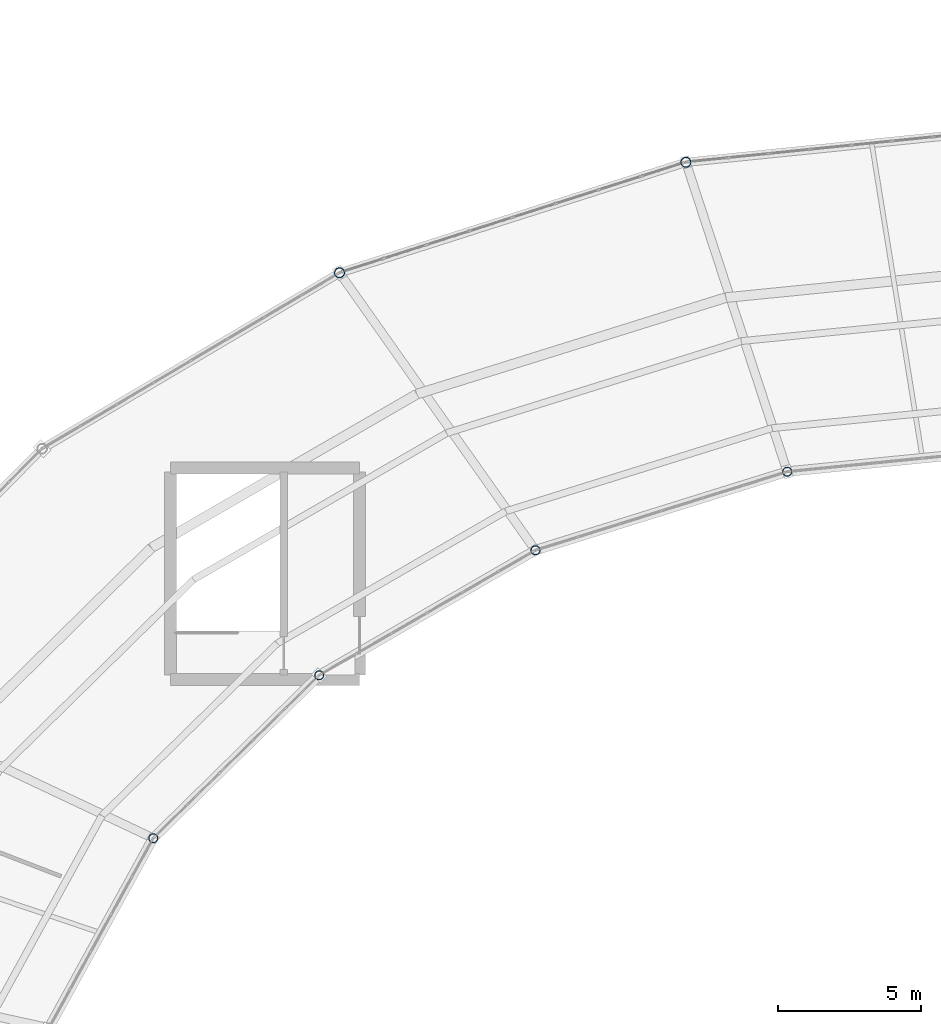
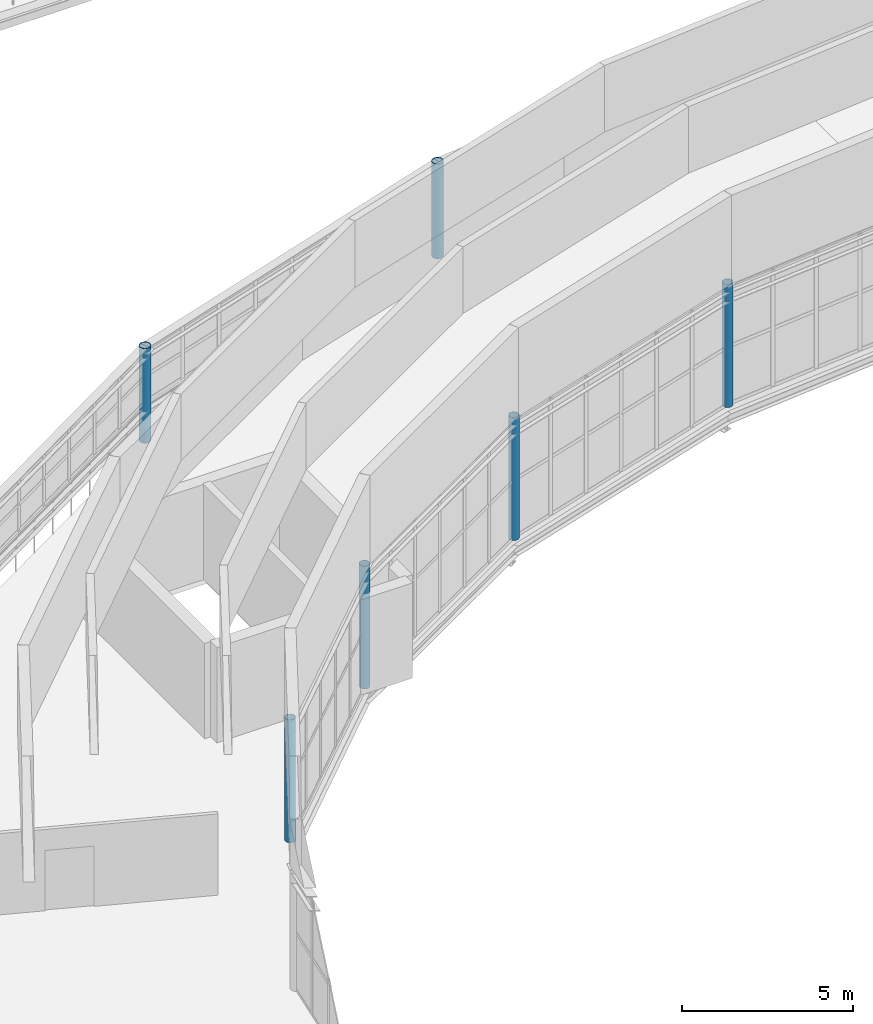
# One storey, part 13 of 123: 6 columns.
"""IFC4 building model written with IfcOpenShell, lengths in metres."""

from ifc_helpers import new_model, si_unit, direction, frame, origin, origin_2d, place, context, subcontext, project, spatial, hollow_circle, extrude, material, material_profile, profile_set, type_object, element, save


model = new_model("IFC4")

# Units and contexts
model_context = context("Model", 3, precision=1e-05, world=origin(), true_north=direction((0.0, 1.0)))
body_context = subcontext(model_context, "Body", "Model", "MODEL_VIEW")
ifc_project = project(units=[si_unit("LENGTHUNIT", "METRE"), si_unit("AREAUNIT", "SQUARE_METRE"), si_unit("VOLUMEUNIT", "CUBIC_METRE"), si_unit("PLANEANGLEUNIT", "RADIAN"), si_unit("MASSUNIT", "GRAM", prefix="KILO")], contexts=[model_context])

# Site, building, storey
site_placement = place(None, origin())
site = spatial("IfcSite", under=ifc_project, at=site_placement, CompositionType="ELEMENT")
building_placement = place(site_placement, origin())
building = spatial("IfcBuilding", under=site, at=building_placement, Name="Kildeholm Park Wholesale Market", CompositionType="ELEMENT")
storey_placement = place(building_placement, frame((0.0, 0.0, 9.60009765625)))
storey = spatial("IfcBuildingStorey", under=building, at=storey_placement, Name="L02", CompositionType="ELEMENT", Elevation=9.60009765625)

# Columns
ifc_material = material(Name="Steel S355", Category="steel")
ifc_material_profile_1 = material_profile(ifc_material, hollow_circle(Radius=0.161865234375, WallThickness=0.01611328125, at=origin_2d()), Name="CHS 323.9x16")
ifc_profile_set_1 = profile_set([ifc_material_profile_1], Name="Steel S355")
column_type_1 = type_object("IfcColumnType", Name="Column C-S09 CHS 323.9x16", PredefinedType="COLUMN", material=ifc_profile_set_1)
for number, where, z_axis, x_axis, name in (
    (1, (89.552978515625, 116.06298828125, 0.0), (0.0, 0.0, 1.0), (-0.258819045103, 0.965925826289, 0.0), "Column V1-IN-07 L02 COL-0066"),
    (2, (80.75, 113.31591796875, 0.0), (0.0, 0.0, 1.0), (-0.5, 0.866025403784, 0.0), "Column V1-IN-08 L02 COL-0075"),
    (3, (73.19091796875, 108.945068359375, 0.0), (0.0, 0.0, 1.0), (-0.707106781187, 0.707106781187, 0.0), "Column V1-IN-09 L02 COL-0084"),
    (4, (67.389892578125, 103.25, 0.0), (0.0, 0.0, 1.0), (-0.866025403784, 0.5, 0.0), "Column V1-IN-10 L02 COL-0093"),
):
    element("IfcColumn", number, at=place(storey_placement, frame(where, z_axis=z_axis, x_axis=x_axis)), inside=storey, type_object=column_type_1, Name=name, PredefinedType="COLUMN", context=body_context, shape_type="SweptSolid", body=[
        extrude(hollow_circle(Radius=0.161865234375, WallThickness=0.01611328125, at=origin_2d()), origin(), (0.0, 0.0, 1.0), 4.3798828125),
    ])
ifc_material_profile_2 = material_profile(ifc_material, hollow_circle(Radius=0.177734375, WallThickness=0.01611328125, at=origin_2d()), Name="CHS 355.6x16")
ifc_profile_set_2 = profile_set([ifc_material_profile_2], Name="Steel S355")
column_type_2 = type_object("IfcColumnType", Name="Column C-S10 CHS 355.6x16", PredefinedType="COLUMN", material=ifc_profile_set_2)
for number, where, z_axis, x_axis, name in (
    (5, (86.007080078125, 126.881103515625, 0.0), (0.0, 0.0, 1.0), (-0.258819045103, 0.965925826289, 0.0), "Column V1-MD-07 L02 COL-0069"),
    (6, (73.89990234375, 123.014892578125, 0.0), (0.0, 0.0, 1.0), (-0.5, 0.866025403784, 0.0), "Column V1-MD-08 L02 COL-0078"),
):
    element("IfcColumn", number, at=place(storey_placement, frame(where, z_axis=z_axis, x_axis=x_axis)), inside=storey, type_object=column_type_2, Name=name, PredefinedType="COLUMN", context=body_context, shape_type="SweptSolid", body=[
        extrude(hollow_circle(Radius=0.177734375, WallThickness=0.01611328125, at=origin_2d()), origin(), (0.0, 0.0, 1.0), 3.3798828125),
    ])

save(model, "model.ifc")
